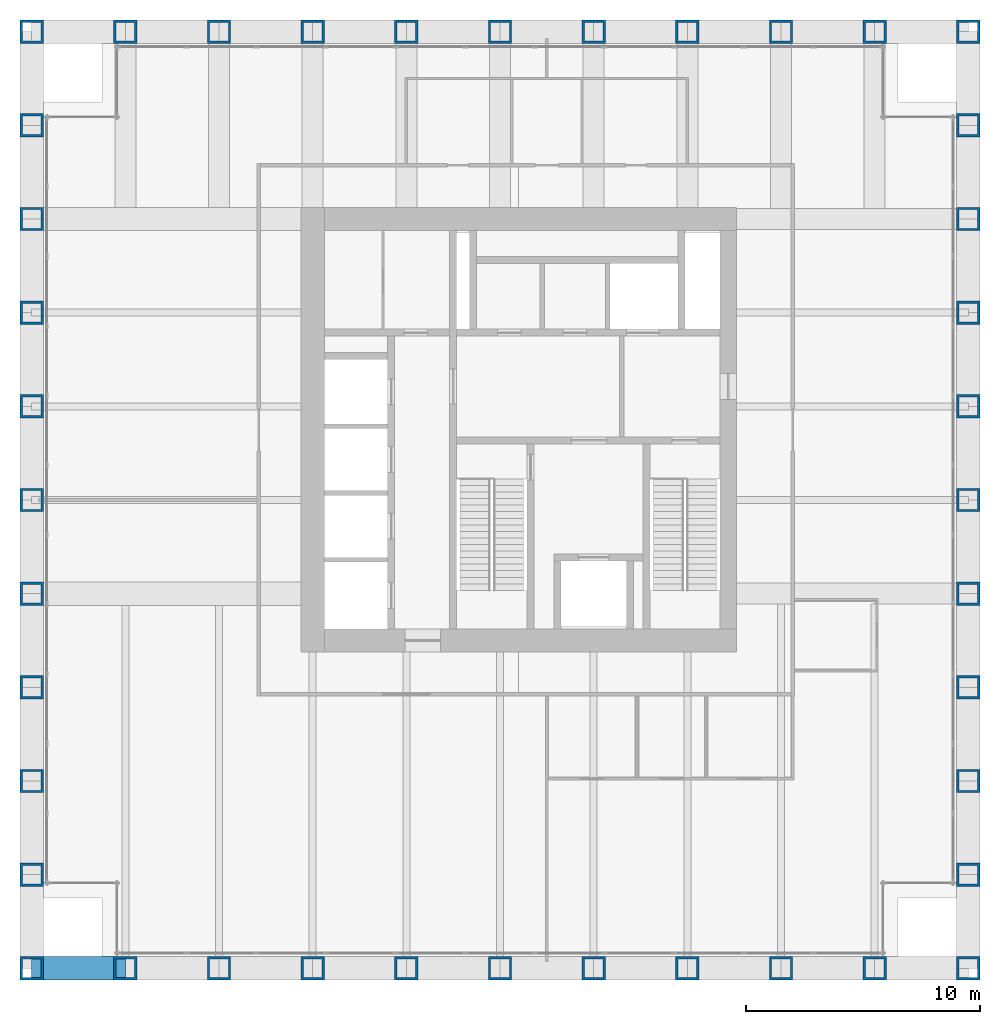
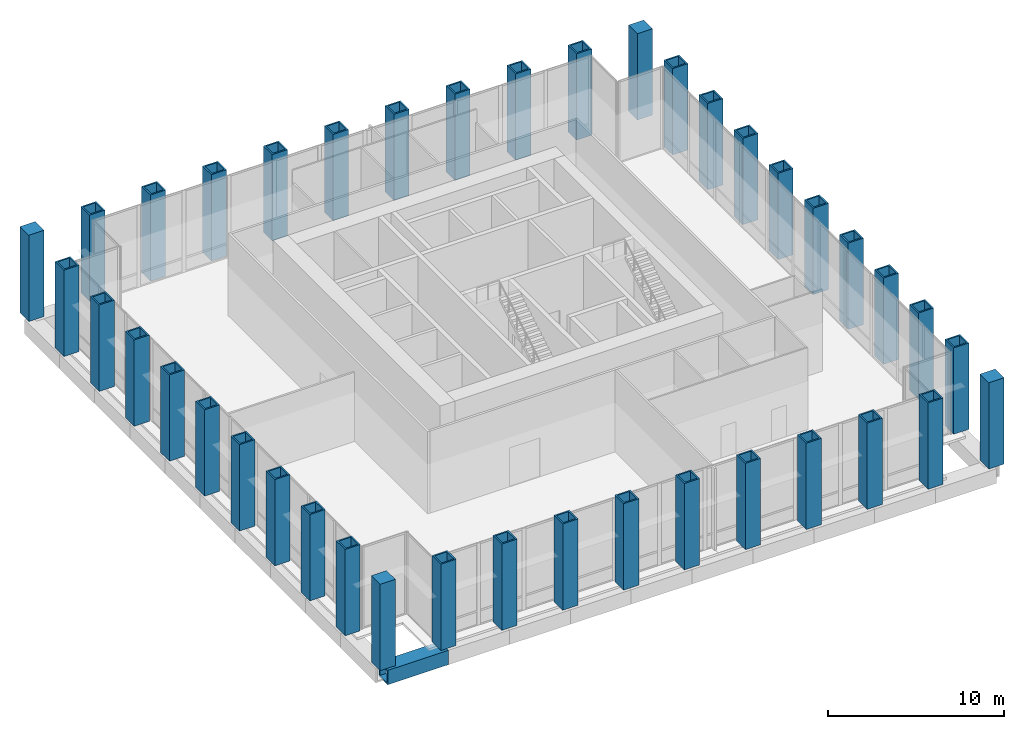
# One storey, part 1 of 12: 40 columns, 1 beam.
"""IFC4 building model written with IfcOpenShell, lengths in metres."""

import ifcopenshell
import ifcopenshell.guid

model = None  # the IFC model being written
_history = None  # IfcOwnerHistory: only IFC2X3 demands one
_inside = {}  # id of a spatial element -> (the spatial element, [elements in it])
_under = {}  # id of a project, library or spatial element -> (it, [spatial elements below it])
_declared = {}  # id of a project -> (the project, [libraries it declares])
_typed = {}  # id of a type object -> (the type object, [elements of that type])
_made_of = {}  # id of a material, layer set ... -> (it, [elements and type objects made of it])


def new_model(schema):
    """Start an empty IFC model of exactly this schema.

    Asked for "IFC4X3", IfcOpenShell would pick the latest addendum, in which some entities
    have other attributes; the version numbers below select the first issue.
    IFC2X3 requires an IfcOwnerHistory on every rooted entity: one is made here for all.
    """
    global model, _history
    if schema == "IFC4X3":
        model = ifcopenshell.file(schema_version=(4, 3, 0, 0))
    else:
        model = ifcopenshell.file(schema=schema)
    _inside.clear()
    _under.clear()
    _declared.clear()
    _typed.clear()
    _made_of.clear()
    _history = None
    if model.schema == "IFC2X3":
        org = make("IfcOrganization", Name="unknown")
        user = make(
            "IfcPersonAndOrganization",
            ThePerson=make("IfcPerson", FamilyName="unknown"),
            TheOrganization=org,
        )
        app = make(
            "IfcApplication",
            ApplicationDeveloper=org,
            Version="unknown",
            ApplicationFullName="unknown",
            ApplicationIdentifier="unknown",
        )
        _history = make(
            "IfcOwnerHistory",
            OwningUser=user,
            OwningApplication=app,
            ChangeAction="ADDED",
            CreationDate=0,
        )
    return model


def make(cls, **values):
    """One entity of the class cls with the attributes given. An attribute that is None is left unset."""
    return model.create_entity(
        cls, **{name: value for name, value in values.items() if value is not None}
    )


def rooted(cls, **values):
    """An entity with a GlobalId (a new one), such as an element, a storey or a relation."""
    return make(cls, GlobalId=ifcopenshell.guid.new(), OwnerHistory=_history, **values)


def si_unit(unit_type, name, prefix=None):
    """IfcSIUnit, for example si_unit("LENGTHUNIT", "METRE", prefix="MILLI")."""
    return make("IfcSIUnit", UnitType=unit_type, Prefix=prefix, Name=name)


def assignment(units):
    """IfcUnitAssignment: the units of a project."""
    return None if units is None else make("IfcUnitAssignment", Units=units)


def point(xyz):
    """IfcCartesianPoint."""
    return None if xyz is None else make("IfcCartesianPoint", Coordinates=xyz)


def direction(xyz):
    """IfcDirection."""
    return None if xyz is None else make("IfcDirection", DirectionRatios=xyz)


def frame(location, z_axis=None, x_axis=None):
    """IfcAxis2Placement3D, a coordinate frame: its origin and axes. An axis left out is left unset."""
    return make(
        "IfcAxis2Placement3D",
        Location=point(location),
        Axis=direction(z_axis),
        RefDirection=direction(x_axis),
    )


def frame_2d(location, x_axis=None):
    """IfcAxis2Placement2D, a coordinate frame in the plane: its origin and x axis."""
    return make(
        "IfcAxis2Placement2D", Location=point(location), RefDirection=direction(x_axis)
    )


def origin():
    """The frame at (0, 0, 0) with its axes left unset."""
    return frame((0.0, 0.0, 0.0))


def origin_2d():
    """The frame at (0, 0) in the plane with its x axis left unset."""
    return frame_2d((0.0, 0.0))


def place(relative_to, where):
    """IfcLocalPlacement: puts the frame where relative to a parent placement (None: the world)."""
    return make(
        "IfcLocalPlacement", PlacementRelTo=relative_to, RelativePlacement=where
    )


def context(
    kind, dimensions, precision=None, world=None, true_north=None, identifier=None
):
    """IfcGeometricRepresentationContext, for example the 3D "Model" context."""
    return make(
        "IfcGeometricRepresentationContext",
        ContextIdentifier=identifier,
        ContextType=kind,
        CoordinateSpaceDimension=dimensions,
        Precision=precision,
        WorldCoordinateSystem=world,
        TrueNorth=true_north,
    )


def subcontext(parent, identifier, kind, view, scale=None):
    """IfcGeometricRepresentationSubContext, for example "Body" below "Model"."""
    return make(
        "IfcGeometricRepresentationSubContext",
        ContextIdentifier=identifier,
        ContextType=kind,
        ParentContext=parent,
        TargetScale=scale,
        TargetView=view,
    )


def project(units=None, contexts=None):
    """IfcProject with its units and contexts."""
    return rooted(
        "IfcProject",
        Name="project",
        RepresentationContexts=contexts,
        UnitsInContext=assignment(units),
    )


def spatial(cls, under=None, at=None, **own):
    """A site, building, storey or space (cls), placed at a placement, below another one or the project."""
    s = rooted(cls, ObjectPlacement=at, **own)
    if under is not None:
        _under.setdefault(under.id(), (under, []))[1].append(s)
    return s


def profile(cls, at=None, kind="AREA", **sizes):
    """A parametric profile (cls). Its sizes go by their IFC names, for example OverallWidth=200.0."""
    return make(cls, ProfileType=kind, Position=at, **sizes)


def rectangle(**sizes):
    """IfcRectangleProfileDef."""
    return profile("IfcRectangleProfileDef", **sizes)


def hollow_rectangle(**sizes):
    """IfcRectangleHollowProfileDef."""
    return profile("IfcRectangleHollowProfileDef", **sizes)


def extrude(swept, where, along, depth):
    """IfcExtrudedAreaSolid: the profile swept, set in the frame where, extruded along a direction by depth."""
    return make(
        "IfcExtrudedAreaSolid",
        SweptArea=swept,
        Position=where,
        ExtrudedDirection=direction(along),
        Depth=depth,
    )


def shape(context_of_items, identifier, shape_type, items):
    """IfcShapeRepresentation: the items that make up one representation, for example the "Body"."""
    return make(
        "IfcShapeRepresentation",
        ContextOfItems=context_of_items,
        RepresentationIdentifier=identifier,
        RepresentationType=shape_type,
        Items=items,
    )


def material(Name=None, Category=None):
    """IfcMaterial."""
    return make("IfcMaterial", Name=Name, Category=Category)


def material_profile(
    of_material, cross_section, Name=None, Category=None, Priority=None
):
    """IfcMaterialProfile: a cross section and its material."""
    return make(
        "IfcMaterialProfile",
        Name=Name,
        Material=of_material,
        Profile=cross_section,
        Priority=Priority,
        Category=Category,
    )


def profile_set(profiles, Name=None, composite=None):
    """IfcMaterialProfileSet."""
    return make(
        "IfcMaterialProfileSet",
        Name=Name,
        MaterialProfiles=profiles,
        CompositeProfile=composite,
    )


def made_of(thing, what):
    """Note that an element or type object is made of a material, layer set ...; save() writes the relation."""
    if what is not None:
        _made_of.setdefault(what.id(), (what, []))[1].append(thing)
    return thing


def type_object(cls, material=None, **own):
    """A type object (cls), such as IfcWallType, which elements share."""
    return made_of(rooted(cls, **own), material)


def element(
    cls,
    number,
    at=None,
    inside=None,
    cuts=None,
    type_object=None,
    material=None,
    context=None,
    identifier="Body",
    shape_type=None,
    held_by="IfcProductDefinitionShape",
    body=None,
    shapes=None,
    **own,
):
    """One element of the class cls, such as IfcWall. Its Tag is "e" and its number.

    at: its placement. inside: the storey or other place that contains it. cuts: it is an
    opening in that element (IfcRelVoidsElement). A single representation is given by context,
    identifier, shape_type and body (its items); several are given by shapes. held_by: the class
    of the entity that holds the representations. save() writes the other relations.
    """
    e = rooted(cls, Tag="e%d" % number, ObjectPlacement=at, **own)
    if body is not None:
        shapes = [shape(context, identifier, shape_type, body)]
    if shapes is not None:
        e.Representation = make(held_by, Representations=shapes)
    if inside is not None:
        _inside.setdefault(inside.id(), (inside, []))[1].append(e)
    if cuts is not None:
        rooted(
            "IfcRelVoidsElement", RelatingBuildingElement=cuts, RelatedOpeningElement=e
        )
    if type_object is not None:
        _typed.setdefault(type_object.id(), (type_object, []))[1].append(e)
    return made_of(e, material)


def aggregate(whole, parts):
    """IfcRelAggregates: a whole, such as a stair, and the parts it consists of."""
    return rooted("IfcRelAggregates", RelatingObject=whole, RelatedObjects=parts)


def save(model, path):
    """Write the relations noted so far, then the file.

    IfcRelAggregates (storeys below a building ...), IfcRelContainedInSpatialStructure (elements
    in a storey), IfcRelDefinesByType, IfcRelAssociatesMaterial and IfcRelDeclares: one each for
    every whole, place, type object, material and project.
    """
    for whole, parts in _under.values():
        aggregate(whole, parts)
    for where, things in _inside.values():
        rooted(
            "IfcRelContainedInSpatialStructure",
            RelatedElements=things,
            RelatingStructure=where,
        )
    for kind, things in _typed.values():
        rooted("IfcRelDefinesByType", RelatedObjects=things, RelatingType=kind)
    for what, things in _made_of.values():
        rooted("IfcRelAssociatesMaterial", RelatedObjects=things, RelatingMaterial=what)
    for by, libraries in _declared.values():
        rooted("IfcRelDeclares", RelatingContext=by, RelatedDefinitions=libraries)
    model.write(path)


model = new_model("IFC4")

# Units and contexts
model_context = context("Model", 3, precision=1e-05, world=origin(), true_north=direction((0.0, 1.0)))
body_context = subcontext(model_context, "Body", "Model", "MODEL_VIEW")
ifc_project = project(units=[si_unit("LENGTHUNIT", "METRE"), si_unit("AREAUNIT", "SQUARE_METRE"), si_unit("VOLUMEUNIT", "CUBIC_METRE"), si_unit("PLANEANGLEUNIT", "RADIAN"), si_unit("MASSUNIT", "GRAM", prefix="KILO")], contexts=[model_context])

# Site, building, storey
site_placement = place(None, origin())
site = spatial("IfcSite", under=ifc_project, at=site_placement, CompositionType="ELEMENT")
building_placement = place(site_placement, origin())
building = spatial("IfcBuilding", under=site, at=building_placement, Name="Rimbunsela Tower", CompositionType="ELEMENT")
storey_placement = place(building_placement, frame((0.0, 0.0, 298.199951171875)))
storey = spatial("IfcBuildingStorey", under=building, at=storey_placement, Name="L72", CompositionType="ELEMENT", Elevation=298.199951171875)

# Columns
ifc_material_1 = material(Name="Steel BJ 55 (fy 410 MPa)", Category="steel")
ifc_material_profile_1 = material_profile(ifc_material_1, hollow_rectangle(XDim=1.0, YDim=1.0, WallThickness=0.10009765625, at=origin_2d()), Name="BOX 1000x1000x100")
ifc_profile_set_1 = profile_set([ifc_material_profile_1], Name="Steel BJ 55 (fy 410 MPa)")
column_type = type_object("IfcColumnType", Name="Column BOX 1000x1000x100", PredefinedType="COLUMN", material=ifc_profile_set_1)
column_1_placement = place(storey_placement, frame((6.0, 4.0, 0.0), z_axis=(0.0, 0.0, 1.0), x_axis=(1.0, 0.0, 0.0)))
element("IfcColumn", 1, at=column_1_placement, inside=storey, type_object=column_type, Name="Column C1 4/C L72", PredefinedType="COLUMN", context=body_context, shape_type="SweptSolid", body=[
    extrude(hollow_rectangle(XDim=1.0, YDim=1.0, WallThickness=0.10009765625, at=origin_2d()), origin(), (0.0, 0.0, 1.0), 6.0),
    extrude(rectangle(XDim=0.99, YDim=0.99, at=origin_2d()), frame((0.0, 0.0, 5.9599609375)), (0.0, 0.0, 1.0), 0.0400390625),
])
for number, where, z_axis, x_axis, name in (
    (2, (6.0, 8.0, 0.0), (0.0, 0.0, 1.0), (1.0, 0.0, 0.0), "Column C1 4/D L72"),
    (3, (6.0, 12.0, 0.0), (0.0, 0.0, 1.0), (1.0, 0.0, 0.0), "Column C1 4/E L72"),
    (4, (6.0, 16.0, 0.0), (0.0, 0.0, 1.0), (1.0, 0.0, 0.0), "Column C1 4/F L72"),
    (5, (6.0, 20.0, 0.0), (0.0, 0.0, 1.0), (1.0, 0.0, 0.0), "Column C1 4/G L72"),
    (6, (6.0, 24.0, 0.0), (0.0, 0.0, 1.0), (1.0, 0.0, 0.0), "Column C1 4/H L72"),
    (7, (6.0, 28.0, 0.0), (0.0, 0.0, 1.0), (1.0, 0.0, 0.0), "Column C1 4/J L72"),
    (8, (6.0, 32.0, 0.0), (0.0, 0.0, 1.0), (1.0, 0.0, 0.0), "Column C1 4/K L72"),
    (9, (6.0, 36.0, 0.0), (0.0, 0.0, 1.0), (1.0, 0.0, 0.0), "Column C1 4/L L72"),
    (10, (6.0, 40.0, 0.0), (0.0, 0.0, 1.0), (1.0, 0.0, 0.0), "Column C1 4/M L72"),
):
    element("IfcColumn", number, at=place(storey_placement, frame(where, z_axis=z_axis, x_axis=x_axis)), inside=storey, type_object=column_type, Name=name, PredefinedType="COLUMN", context=body_context, shape_type="SweptSolid", body=[
        extrude(hollow_rectangle(XDim=1.0, YDim=1.0, WallThickness=0.10009765625, at=origin_2d()), origin(), (0.0, 0.0, 1.0), 6.0),
    ])
column_2_placement = place(storey_placement, frame((6.0, 44.0, 0.0), z_axis=(0.0, 0.0, 1.0), x_axis=(1.0, 0.0, 0.0)))
element("IfcColumn", 11, at=column_2_placement, inside=storey, type_object=column_type, Name="Column C1 4/N L72", PredefinedType="COLUMN", context=body_context, shape_type="SweptSolid", body=[
    extrude(hollow_rectangle(XDim=1.0, YDim=1.0, WallThickness=0.10009765625, at=origin_2d()), origin(), (0.0, 0.0, 1.0), 6.0),
    extrude(rectangle(XDim=0.99, YDim=0.99, at=origin_2d()), frame((0.0, 0.0, 5.9599609375)), (0.0, 0.0, 1.0), 0.0400390625),
])
for number, where, z_axis, x_axis, name in (
    (12, (10.0, 4.0, 0.0), (0.0, 0.0, 1.0), (1.0, 0.0, 0.0), "Column C1 5/C L72"),
    (13, (10.0, 44.0, 0.0), (0.0, 0.0, 1.0), (1.0, 0.0, 0.0), "Column C1 5/N L72"),
    (14, (14.0, 4.0, 0.0), (0.0, 0.0, 1.0), (1.0, 0.0, 0.0), "Column C1 6/C L72"),
    (15, (14.0, 44.0, 0.0), (0.0, 0.0, 1.0), (1.0, 0.0, 0.0), "Column C1 6/N L72"),
    (16, (18.0, 4.0, 0.0), (0.0, 0.0, 1.0), (1.0, 0.0, 0.0), "Column C1 7/C L72"),
    (17, (18.0, 44.0, 0.0), (0.0, 0.0, 1.0), (1.0, 0.0, 0.0), "Column C1 7/N L72"),
    (18, (22.0, 4.0, 0.0), (0.0, 0.0, 1.0), (1.0, 0.0, 0.0), "Column C1 8/C L72"),
    (19, (22.0, 44.0, 0.0), (0.0, 0.0, 1.0), (1.0, 0.0, 0.0), "Column C1 8/N L72"),
    (20, (26.0, 4.0, 0.0), (0.0, 0.0, 1.0), (1.0, 0.0, 0.0), "Column C1 9/C L72"),
    (21, (26.0, 44.0, 0.0), (0.0, 0.0, 1.0), (1.0, 0.0, 0.0), "Column C1 9/N L72"),
    (22, (30.0, 4.0, 0.0), (0.0, 0.0, 1.0), (1.0, 0.0, 0.0), "Column C1 10/C L72"),
    (23, (30.0, 44.0, 0.0), (0.0, 0.0, 1.0), (1.0, 0.0, 0.0), "Column C1 10/N L72"),
    (24, (34.0, 4.0, 0.0), (0.0, 0.0, 1.0), (1.0, 0.0, 0.0), "Column C1 11/C L72"),
    (25, (34.0, 44.0, 0.0), (0.0, 0.0, 1.0), (1.0, 0.0, 0.0), "Column C1 11/N L72"),
    (26, (38.0, 4.0, 0.0), (0.0, 0.0, 1.0), (1.0, 0.0, 0.0), "Column C1 12/C L72"),
    (27, (38.0, 44.0, 0.0), (0.0, 0.0, 1.0), (1.0, 0.0, 0.0), "Column C1 12/N L72"),
    (28, (42.0, 4.0, 0.0), (0.0, 0.0, 1.0), (1.0, 0.0, 0.0), "Column C1 13/C L72"),
    (29, (42.0, 44.0, 0.0), (0.0, 0.0, 1.0), (1.0, 0.0, 0.0), "Column C1 13/N L72"),
):
    element("IfcColumn", number, at=place(storey_placement, frame(where, z_axis=z_axis, x_axis=x_axis)), inside=storey, type_object=column_type, Name=name, PredefinedType="COLUMN", context=body_context, shape_type="SweptSolid", body=[
        extrude(hollow_rectangle(XDim=1.0, YDim=1.0, WallThickness=0.10009765625, at=origin_2d()), origin(), (0.0, 0.0, 1.0), 6.0),
    ])
column_3_placement = place(storey_placement, frame((46.0, 4.0, 0.0), z_axis=(0.0, 0.0, 1.0), x_axis=(1.0, 0.0, 0.0)))
element("IfcColumn", 30, at=column_3_placement, inside=storey, type_object=column_type, Name="Column C1 14/C L72", PredefinedType="COLUMN", context=body_context, shape_type="SweptSolid", body=[
    extrude(hollow_rectangle(XDim=1.0, YDim=1.0, WallThickness=0.10009765625, at=origin_2d()), origin(), (0.0, 0.0, 1.0), 6.0),
    extrude(rectangle(XDim=0.99, YDim=0.99, at=origin_2d()), frame((0.0, 0.0, 5.9599609375)), (0.0, 0.0, 1.0), 0.0400390625),
])
for number, where, z_axis, x_axis, name in (
    (31, (46.0, 8.0, 0.0), (0.0, 0.0, 1.0), (1.0, 0.0, 0.0), "Column C1 14/D L72"),
    (32, (46.0, 12.0, 0.0), (0.0, 0.0, 1.0), (1.0, 0.0, 0.0), "Column C1 14/E L72"),
    (33, (46.0, 16.0, 0.0), (0.0, 0.0, 1.0), (1.0, 0.0, 0.0), "Column C1 14/F L72"),
    (34, (46.0, 20.0, 0.0), (0.0, 0.0, 1.0), (1.0, 0.0, 0.0), "Column C1 14/G L72"),
    (35, (46.0, 24.0, 0.0), (0.0, 0.0, 1.0), (1.0, 0.0, 0.0), "Column C1 14/H L72"),
    (36, (46.0, 28.0, 0.0), (0.0, 0.0, 1.0), (1.0, 0.0, 0.0), "Column C1 14/J L72"),
    (37, (46.0, 32.0, 0.0), (0.0, 0.0, 1.0), (1.0, 0.0, 0.0), "Column C1 14/K L72"),
    (38, (46.0, 36.0, 0.0), (0.0, 0.0, 1.0), (1.0, 0.0, 0.0), "Column C1 14/L L72"),
    (39, (46.0, 40.0, 0.0), (0.0, 0.0, 1.0), (1.0, 0.0, 0.0), "Column C1 14/M L72"),
):
    element("IfcColumn", number, at=place(storey_placement, frame(where, z_axis=z_axis, x_axis=x_axis)), inside=storey, type_object=column_type, Name=name, PredefinedType="COLUMN", context=body_context, shape_type="SweptSolid", body=[
        extrude(hollow_rectangle(XDim=1.0, YDim=1.0, WallThickness=0.10009765625, at=origin_2d()), origin(), (0.0, 0.0, 1.0), 6.0),
    ])
column_4_placement = place(storey_placement, frame((46.0, 44.0, 0.0), z_axis=(0.0, 0.0, 1.0), x_axis=(1.0, 0.0, 0.0)))
element("IfcColumn", 40, at=column_4_placement, inside=storey, type_object=column_type, Name="Column C1 14/N L72", PredefinedType="COLUMN", context=body_context, shape_type="SweptSolid", body=[
    extrude(hollow_rectangle(XDim=1.0, YDim=1.0, WallThickness=0.10009765625, at=origin_2d()), origin(), (0.0, 0.0, 1.0), 6.0),
    extrude(rectangle(XDim=0.99, YDim=0.99, at=origin_2d()), frame((0.0, 0.0, 5.9599609375)), (0.0, 0.0, 1.0), 0.0400390625),
])

# Beam
ifc_material_2 = material(Name="Steel BJ 55 (fy 410 MPa)", Category="steel")
ifc_material_profile_2 = material_profile(ifc_material_2, hollow_rectangle(XDim=1.0, YDim=1.0, WallThickness=0.10009765625, at=origin_2d()), Name="BOX 1000x1000x100")
ifc_profile_set_2 = profile_set([ifc_material_profile_2], Name="Steel BJ 55 (fy 410 MPa)")
beam_type = type_object("IfcBeamType", Name="Beam BOX 1000x1000x100", PredefinedType="BEAM", material=ifc_profile_set_2)
beam_placement = place(storey_placement, frame((6.0, 4.0, -0.64990234375), z_axis=(1.0, 0.0, 0.0), x_axis=(0.0, 1.0, 0.0)))
element("IfcBeam", 41, at=beam_placement, inside=storey, type_object=beam_type, Name="Beam B3 L72", PredefinedType="BEAM", context=body_context, shape_type="SweptSolid", body=[
    extrude(hollow_rectangle(XDim=1.0, YDim=1.0, WallThickness=0.10009765625, at=origin_2d()), origin(), (0.0, 0.0, 1.0), 4.0),
])

save(model, "model.ifc")
